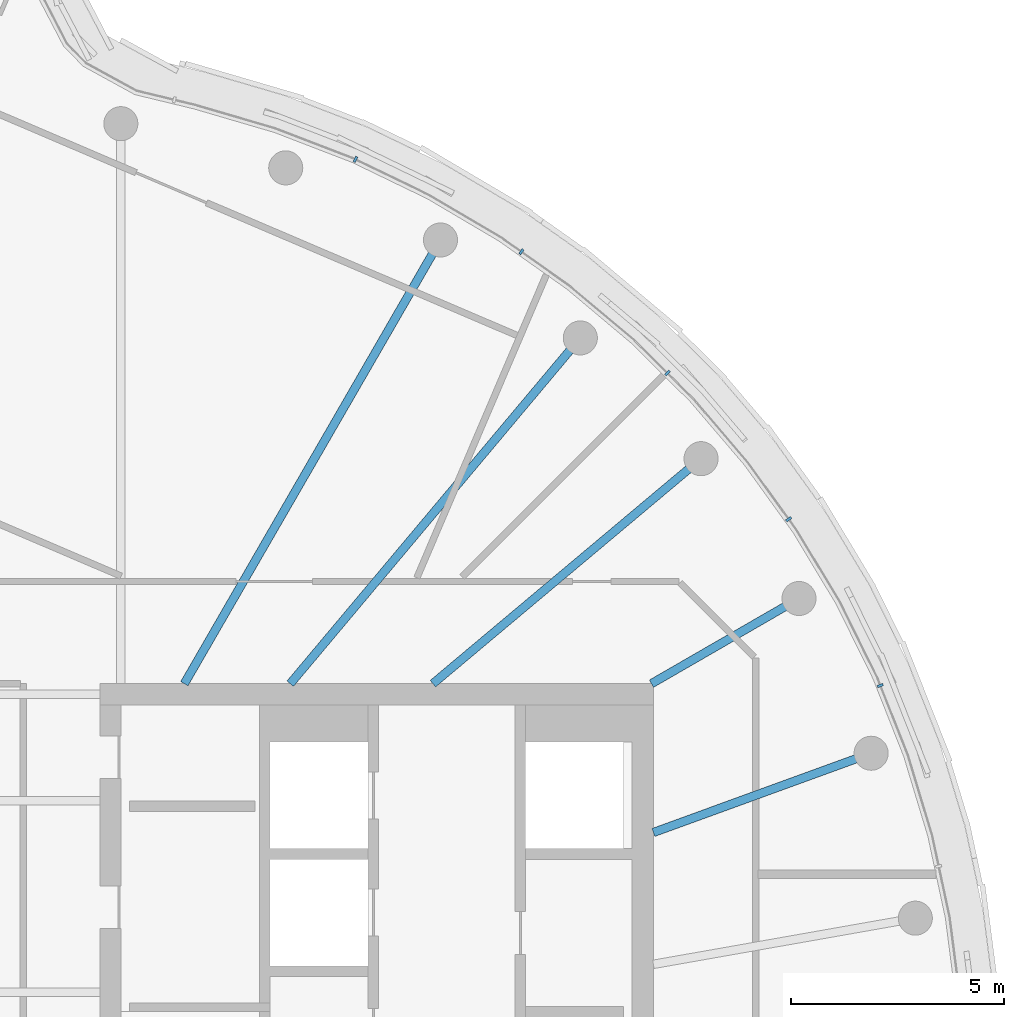
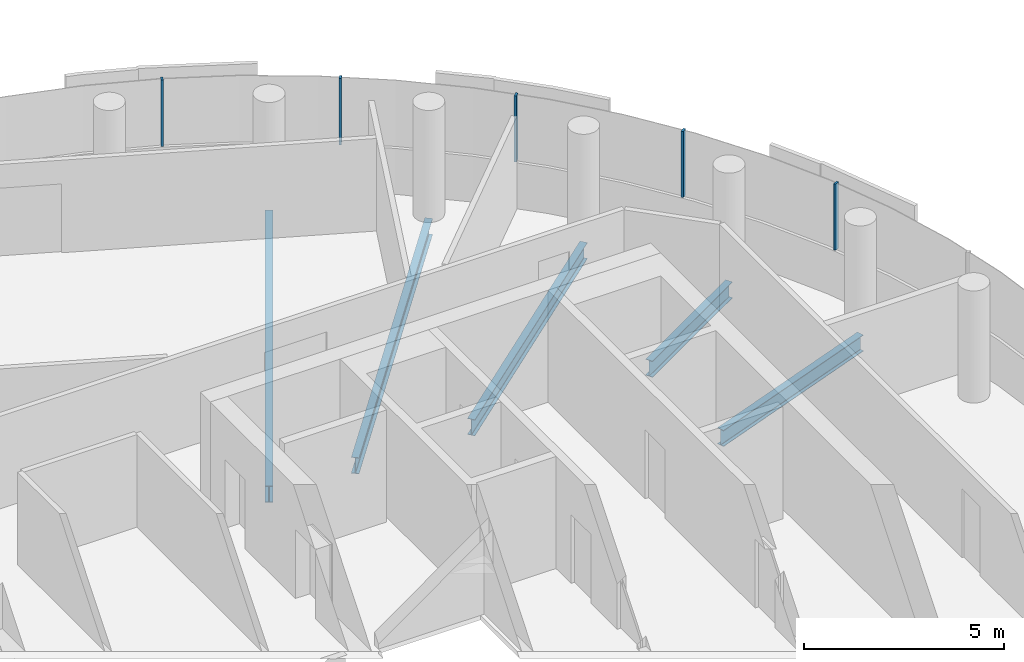
# One storey, part 10 of 20: 5 beams, 5 members, 1 element without a shape of its own.
"""IFC4 building model written with IfcOpenShell, lengths in metres."""

from ifc_helpers import new_model, si_unit, direction, frame, origin, origin_2d, place, context, subcontext, project, spatial, rectangle, i_section, extrude, material, layer, layer_set, material_profile, profile_set, type_object, element, aggregate, save


model = new_model("IFC4")

# Units and contexts
model_context = context("Model", 3, precision=1e-05, world=origin(), true_north=direction((0.0, 1.0)))
body_context = subcontext(model_context, "Body", "Model", "MODEL_VIEW")
ifc_project = project(units=[si_unit("LENGTHUNIT", "METRE"), si_unit("AREAUNIT", "SQUARE_METRE"), si_unit("VOLUMEUNIT", "CUBIC_METRE"), si_unit("PLANEANGLEUNIT", "RADIAN"), si_unit("MASSUNIT", "GRAM", prefix="KILO")], contexts=[model_context])

# Site, building, storey
site_placement = place(None, origin())
site = spatial("IfcSite", under=ifc_project, at=site_placement, CompositionType="ELEMENT")
building_placement = place(site_placement, origin())
building = spatial("IfcBuilding", under=site, at=building_placement, Name="Tamarind Cross Interchange Tower", CompositionType="ELEMENT")
storey_placement = place(building_placement, frame((0.0, 0.0, 274.800048828125)))
storey = spatial("IfcBuildingStorey", under=building, at=storey_placement, Name="L70", CompositionType="ELEMENT", Elevation=274.800048828125)

# Beams
ifc_material_1 = material(Name="Steel Q355B", Category="steel")
ifc_material_profile_1 = material_profile(ifc_material_1, i_section(OverallWidth=0.198974609375, OverallDepth=0.49609375, WebThickness=0.009033203125, FlangeThickness=0.013916015625, FilletRadius=0.012939453125, at=origin_2d()), Name="HN 496x199x9x14")
ifc_profile_set_1 = profile_set([ifc_material_profile_1], Name="Steel Q355B")
beam_type = type_object("IfcBeamType", Name="Composite beam HN 496x199x9x14 Q355B", PredefinedType="BEAM", material=ifc_profile_set_1)
beam_1_placement = place(storey_placement, frame((21.613037109375, 7.866455078125, -0.387939453125), z_axis=(-0.939701685589, -0.341995236956, 0.0), x_axis=(0.341995236956, -0.939701685589, 0.0)))
element("IfcBeam", 1, at=beam_1_placement, inside=storey, type_object=beam_type, Name="Beam HH02", PredefinedType="BEAM", context=body_context, shape_type="SweptSolid", body=[
    extrude(i_section(OverallWidth=0.198974609375, OverallDepth=0.49609375, WebThickness=0.009033203125, FlangeThickness=0.013916015625, FilletRadius=0.012939453125, at=origin_2d()), origin(), (0.0, 0.0, 1.0), 5.441162109375),
])
beam_2_placement = place(storey_placement, frame((19.918701171875, 11.5, -0.387939453125), z_axis=(-0.866026010844, -0.49999894854, 0.0), x_axis=(0.49999894854, -0.866026010844, 0.0)))
element("IfcBeam", 2, at=beam_2_placement, inside=storey, type_object=beam_type, Name="Beam HH03", PredefinedType="BEAM", context=body_context, shape_type="SweptSolid", body=[
    extrude(i_section(OverallWidth=0.198974609375, OverallDepth=0.49609375, WebThickness=0.009033203125, FlangeThickness=0.013916015625, FilletRadius=0.012939453125, at=origin_2d()), origin(), (0.0, 0.0, 1.0), 4.0),
])
beam_3_placement = place(storey_placement, frame((17.619140625, 14.7841796875, -0.387939453125), z_axis=(-0.766040580814, -0.642792212574, 0.0), x_axis=(0.642792212574, -0.766040580814, 0.0)))
element("IfcBeam", 3, at=beam_3_placement, inside=storey, type_object=beam_type, Name="Beam HH04", PredefinedType="BEAM", context=body_context, shape_type="SweptSolid", body=[
    extrude(i_section(OverallWidth=0.198974609375, OverallDepth=0.49609375, WebThickness=0.009033203125, FlangeThickness=0.013916015625, FilletRadius=0.012939453125, at=origin_2d()), origin(), (0.0, 0.0, 1.0), 8.220703125),
])
beam_4_placement = place(storey_placement, frame((14.7841796875, 17.619140625, -0.387939453125), z_axis=(-0.642786293979, -0.766045547127, 0.0), x_axis=(0.766045547127, -0.642786293979, 0.0)))
element("IfcBeam", 4, at=beam_4_placement, inside=storey, type_object=beam_type, Name="Beam HH05", PredefinedType="BEAM", context=body_context, shape_type="SweptSolid", body=[
    extrude(i_section(OverallWidth=0.198974609375, OverallDepth=0.49609375, WebThickness=0.009033203125, FlangeThickness=0.013916015625, FilletRadius=0.012939453125, at=origin_2d()), origin(), (0.0, 0.0, 1.0), 10.598876953125),
])
beam_5_placement = place(storey_placement, frame((11.5, 19.918701171875, -0.387939453125), z_axis=(-0.499993565836, -0.866029118519, 0.0), x_axis=(0.866029118519, -0.499993565836, 0.0)))
element("IfcBeam", 5, at=beam_5_placement, inside=storey, type_object=beam_type, Name="Beam HH06", PredefinedType="BEAM", context=body_context, shape_type="SweptSolid", body=[
    extrude(i_section(OverallWidth=0.198974609375, OverallDepth=0.49609375, WebThickness=0.009033203125, FlangeThickness=0.013916015625, FilletRadius=0.012939453125, at=origin_2d()), origin(), (0.0, 0.0, 1.0), 12.030517578125),
])

# Curtain wall, members
ifc_material_2 = material(Name="Aluminium 6063-T6", Category="aluminium")
ifc_layer = layer(ifc_material_2, 0.139892578125)
ifc_layer_set = layer_set([ifc_layer], Name="Aluminium 6063-T6")
curtain_wall_type = type_object("IfcCurtainWallType", Name="Hotel curtain wall, 4.5 m bays", PredefinedType="NOTDEFINED", material=ifc_layer_set)
curtain_wall_placement = place(storey_placement, origin())
curtain_wall = element("IfcCurtainWall", 6, at=curtain_wall_placement, inside=storey, type_object=curtain_wall_type, Name="CWS-L70-01", PredefinedType="NOTDEFINED")
ifc_material_profile_2 = material_profile(ifc_material_2, rectangle(XDim=0.06005859375, YDim=0.139892578125, at=origin_2d()), Name="Mullion CW2")
ifc_profile_set_2 = profile_set([ifc_material_profile_2], Name="Aluminium 6063-T6")
member_type = type_object("IfcMemberType", Name="Mullion CW2", PredefinedType="MULLION", material=ifc_profile_set_2)
member_1_placement = place(storey_placement, frame((21.82763671875, 9.456298828125, 1.39990234375), z_axis=(0.0, 0.0, 1.0), x_axis=(-0.367513773146, 0.930018078613, 0.0)))
member_1 = element("IfcMember", 7, at=member_1_placement, type_object=member_type, Name="CWM-L70-01-24", PredefinedType="MULLION", context=body_context, shape_type="SweptSolid", body=[
    extrude(rectangle(XDim=0.06005859375, YDim=0.139892578125, at=origin_2d()), origin(), (0.0, 0.0, 1.0), 2.02001953125),
])
member_2_placement = place(storey_placement, frame((19.676513671875, 13.3623046875, 1.39990234375), z_axis=(0.0, 0.0, 1.0), x_axis=(-0.584573890505, 0.811340475102, 0.0)))
member_2 = element("IfcMember", 8, at=member_2_placement, type_object=member_type, Name="CWM-L70-01-25", PredefinedType="MULLION", context=body_context, shape_type="SweptSolid", body=[
    extrude(rectangle(XDim=0.06005859375, YDim=0.139892578125, at=origin_2d()), origin(), (0.0, 0.0, 1.0), 2.02001953125),
])
member_3_placement = place(storey_placement, frame((16.82958984375, 16.79443359375, 1.39990234375), z_axis=(0.0, 0.0, 1.0), x_axis=(-0.710143317658, 0.704057148523, 0.0)))
member_3 = element("IfcMember", 9, at=member_3_placement, type_object=member_type, Name="CWM-L70-01-26", PredefinedType="MULLION", context=body_context, shape_type="SweptSolid", body=[
    extrude(rectangle(XDim=0.06005859375, YDim=0.139892578125, at=origin_2d()), origin(), (0.0, 0.0, 1.0), 2.02001953125),
])
member_4_placement = place(storey_placement, frame((13.400146484375, 19.6435546875, 1.39990234375), z_axis=(0.0, 0.0, 1.0), x_axis=(-0.816341886298, 0.577568978284, 0.0)))
member_4 = element("IfcMember", 10, at=member_4_placement, type_object=member_type, Name="CWM-L70-01-27", PredefinedType="MULLION", context=body_context, shape_type="SweptSolid", body=[
    extrude(rectangle(XDim=0.06005859375, YDim=0.139892578125, at=origin_2d()), origin(), (0.0, 0.0, 1.0), 2.02001953125),
])
member_5_placement = place(storey_placement, frame((9.50390625, 21.813720703125, 1.39990234375), z_axis=(0.0, 0.0, 1.0), x_axis=(-0.900272776334, 0.435326231914, 0.0)))
member_5 = element("IfcMember", 11, at=member_5_placement, type_object=member_type, Name="CWM-L70-01-28", PredefinedType="MULLION", context=body_context, shape_type="SweptSolid", body=[
    extrude(rectangle(XDim=0.06005859375, YDim=0.139892578125, at=origin_2d()), origin(), (0.0, 0.0, 1.0), 2.02001953125),
])
aggregate(curtain_wall, [member_1, member_2, member_3, member_4, member_5])

save(model, "model.ifc")
